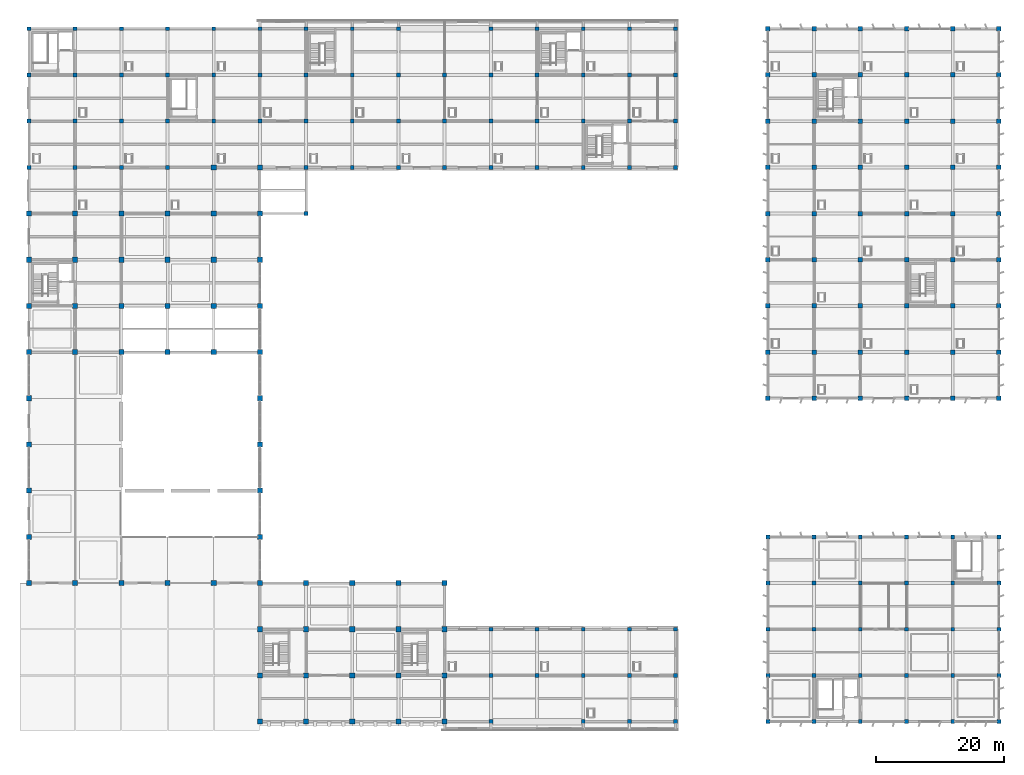
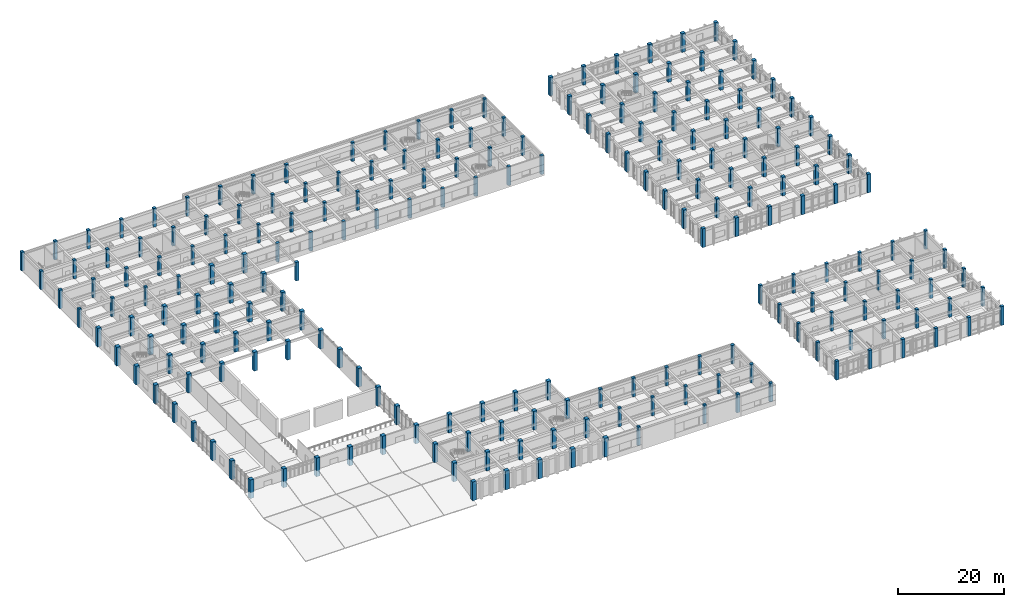
# One storey, part 1 of 70: 215 columns.
"""IFC4 building model written with IfcOpenShell, lengths in metres."""

from ifc_helpers import new_model, si_unit, direction, frame, origin, origin_2d, place, context, subcontext, project, spatial, rectangle, extrude, material, material_profile, profile_set, type_object, element, save


model = new_model("IFC4")

# Units and contexts
model_context = context("Model", 3, precision=1e-05, world=origin(), true_north=direction((0.0, 1.0)))
body_context = subcontext(model_context, "Body", "Model", "MODEL_VIEW")
ifc_project = project(units=[si_unit("LENGTHUNIT", "METRE"), si_unit("AREAUNIT", "SQUARE_METRE"), si_unit("VOLUMEUNIT", "CUBIC_METRE"), si_unit("PLANEANGLEUNIT", "RADIAN"), si_unit("MASSUNIT", "GRAM", prefix="KILO")], contexts=[model_context])

# Site, building, storey
site_placement = place(None, origin())
site = spatial("IfcSite", under=ifc_project, at=site_placement, CompositionType="ELEMENT")
building_placement = place(site_placement, origin())
building = spatial("IfcBuilding", under=site, at=building_placement, Name="Kavelor Marine Aquarium", CompositionType="ELEMENT")
storey_placement = place(building_placement, frame((0.0, 0.0, 9.179931640625)))
storey = spatial("IfcBuildingStorey", under=building, at=storey_placement, Name="L02", CompositionType="ELEMENT", Elevation=9.179931640625)

# Columns
ifc_material_1 = material(Name="Concrete C40/50", Category="concrete")
ifc_material_profile_1 = material_profile(ifc_material_1, rectangle(XDim=0.800048828125, YDim=0.800048828125, at=origin_2d()), Name="RC-COL 800x800")
ifc_profile_set_1 = profile_set([ifc_material_profile_1], Name="Concrete C40/50")
column_type_1 = type_object("IfcColumnType", Name="COL-C3", PredefinedType="COLUMN", material=ifc_profile_set_1)
for number, where, z_axis, x_axis, name in (
    (1, (3.199951171875, 24.39990234375, 0.0), (0.0, 0.0, 1.0), (1.0, 0.0, 0.0), "col:L02:00_03"),
    (2, (3.199951171875, 31.60009765625, 0.0), (0.0, 0.0, 1.0), (1.0, 0.0, 0.0), "col:L02:00_04"),
    (3, (3.199951171875, 38.800048828125, 0.0), (0.0, 0.0, 1.0), (1.0, 0.0, 0.0), "col:L02:00_05"),
    (4, (3.199951171875, 46.0, 0.0), (0.0, 0.0, 1.0), (1.0, 0.0, 0.0), "col:L02:00_06"),
    (5, (3.199951171875, 53.199951171875, 0.0), (0.0, 0.0, 1.0), (1.0, 0.0, 0.0), "col:L02:00_07"),
    (6, (3.199951171875, 60.39990234375, 0.0), (0.0, 0.0, 1.0), (1.0, 0.0, 0.0), "col:L02:00_08"),
    (7, (3.199951171875, 67.60009765625, 0.0), (0.0, 0.0, 1.0), (1.0, 0.0, 0.0), "col:L02:00_09"),
    (8, (3.199951171875, 74.800048828125, 0.0), (0.0, 0.0, 1.0), (1.0, 0.0, 0.0), "col:L02:00_10"),
    (9, (3.199951171875, 82.0, 0.0), (0.0, 0.0, 1.0), (1.0, 0.0, 0.0), "col:L02:00_11"),
    (10, (10.39990234375, 24.39990234375, 0.0), (0.0, 0.0, 1.0), (1.0, 0.0, 0.0), "col:L02:01_03"),
    (11, (10.39990234375, 60.39990234375, 0.0), (0.0, 0.0, 1.0), (1.0, 0.0, 0.0), "col:L02:01_08"),
    (12, (10.39990234375, 67.60009765625, 0.0), (0.0, 0.0, 1.0), (1.0, 0.0, 0.0), "col:L02:01_09"),
    (13, (10.39990234375, 74.800048828125, 0.0), (0.0, 0.0, 1.0), (1.0, 0.0, 0.0), "col:L02:01_10"),
    (14, (10.39990234375, 82.0, 0.0), (0.0, 0.0, 1.0), (1.0, 0.0, 0.0), "col:L02:01_11"),
    (15, (17.60009765625, 24.39990234375, 0.0), (0.0, 0.0, 1.0), (1.0, 0.0, 0.0), "col:L02:02_03"),
    (16, (17.60009765625, 60.39990234375, 0.0), (0.0, 0.0, 1.0), (1.0, 0.0, 0.0), "col:L02:02_08"),
    (17, (17.60009765625, 67.60009765625, 0.0), (0.0, 0.0, 1.0), (1.0, 0.0, 0.0), "col:L02:02_09"),
    (18, (17.60009765625, 74.800048828125, 0.0), (0.0, 0.0, 1.0), (1.0, 0.0, 0.0), "col:L02:02_10"),
    (19, (17.60009765625, 82.0, 0.0), (0.0, 0.0, 1.0), (1.0, 0.0, 0.0), "col:L02:02_11"),
    (20, (24.800048828125, 24.39990234375, 0.0), (0.0, 0.0, 1.0), (1.0, 0.0, 0.0), "col:L02:03_03"),
    (21, (24.800048828125, 60.39990234375, 0.0), (0.0, 0.0, 1.0), (1.0, 0.0, 0.0), "col:L02:03_08"),
    (22, (24.800048828125, 67.60009765625, 0.0), (0.0, 0.0, 1.0), (1.0, 0.0, 0.0), "col:L02:03_09"),
    (23, (24.800048828125, 74.800048828125, 0.0), (0.0, 0.0, 1.0), (1.0, 0.0, 0.0), "col:L02:03_10"),
    (24, (24.800048828125, 82.0, 0.0), (0.0, 0.0, 1.0), (1.0, 0.0, 0.0), "col:L02:03_11"),
    (25, (32.0, 24.39990234375, 0.0), (0.0, 0.0, 1.0), (1.0, 0.0, 0.0), "col:L02:04_03"),
    (26, (32.0, 60.39990234375, 0.0), (0.0, 0.0, 1.0), (1.0, 0.0, 0.0), "col:L02:04_08"),
    (27, (32.0, 67.60009765625, 0.0), (0.0, 0.0, 1.0), (1.0, 0.0, 0.0), "col:L02:04_09"),
    (28, (32.0, 74.800048828125, 0.0), (0.0, 0.0, 1.0), (1.0, 0.0, 0.0), "col:L02:04_10"),
    (29, (32.0, 82.0, 0.0), (0.0, 0.0, 1.0), (1.0, 0.0, 0.0), "col:L02:04_11"),
    (30, (32.0, 89.199951171875, 0.0), (0.0, 0.0, 1.0), (1.0, 0.0, 0.0), "col:L02:04_12"),
    (31, (39.199951171875, 2.800048828125, 0.0), (0.0, 0.0, 1.0), (1.0, 0.0, 0.0), "col:L02:05_00"),
    (32, (39.199951171875, 10.0, 0.0), (0.0, 0.0, 1.0), (1.0, 0.0, 0.0), "col:L02:05_01"),
    (33, (39.199951171875, 17.199951171875, 0.0), (0.0, 0.0, 1.0), (1.0, 0.0, 0.0), "col:L02:05_02"),
    (34, (39.199951171875, 24.39990234375, 0.0), (0.0, 0.0, 1.0), (1.0, 0.0, 0.0), "col:L02:05_03"),
    (35, (39.199951171875, 31.60009765625, 0.0), (0.0, 0.0, 1.0), (1.0, 0.0, 0.0), "col:L02:05_04"),
    (36, (39.199951171875, 38.800048828125, 0.0), (0.0, 0.0, 1.0), (1.0, 0.0, 0.0), "col:L02:05_05"),
    (37, (39.199951171875, 46.0, 0.0), (0.0, 0.0, 1.0), (1.0, 0.0, 0.0), "col:L02:05_06"),
    (38, (39.199951171875, 53.199951171875, 0.0), (0.0, 0.0, 1.0), (1.0, 0.0, 0.0), "col:L02:05_07"),
    (39, (39.199951171875, 60.39990234375, 0.0), (0.0, 0.0, 1.0), (1.0, 0.0, 0.0), "col:L02:05_08"),
    (40, (39.199951171875, 67.60009765625, 0.0), (0.0, 0.0, 1.0), (1.0, 0.0, 0.0), "col:L02:05_09"),
    (41, (39.199951171875, 74.800048828125, 0.0), (0.0, 0.0, 1.0), (1.0, 0.0, 0.0), "col:L02:05_10"),
    (42, (39.199951171875, 82.0, 0.0), (0.0, 0.0, 1.0), (1.0, 0.0, 0.0), "col:L02:05_11"),
    (43, (39.199951171875, 89.199951171875, 0.0), (0.0, 0.0, 1.0), (1.0, 0.0, 0.0), "col:L02:05_12"),
    (44, (46.39990234375, 2.800048828125, 0.0), (0.0, 0.0, 1.0), (1.0, 0.0, 0.0), "col:L02:06_00"),
    (45, (46.39990234375, 10.0, 0.0), (0.0, 0.0, 1.0), (1.0, 0.0, 0.0), "col:L02:06_01"),
    (46, (46.39990234375, 17.199951171875, 0.0), (0.0, 0.0, 1.0), (1.0, 0.0, 0.0), "col:L02:06_02"),
    (47, (46.39990234375, 24.39990234375, 0.0), (0.0, 0.0, 1.0), (1.0, 0.0, 0.0), "col:L02:06_03"),
    (48, (53.60009765625, 2.800048828125, 0.0), (0.0, 0.0, 1.0), (1.0, 0.0, 0.0), "col:L02:07_00"),
    (49, (53.60009765625, 10.0, 0.0), (0.0, 0.0, 1.0), (1.0, 0.0, 0.0), "col:L02:07_01"),
    (50, (53.60009765625, 17.199951171875, 0.0), (0.0, 0.0, 1.0), (1.0, 0.0, 0.0), "col:L02:07_02"),
    (51, (53.60009765625, 24.39990234375, 0.0), (0.0, 0.0, 1.0), (1.0, 0.0, 0.0), "col:L02:07_03"),
    (52, (60.800048828125, 2.800048828125, 0.0), (0.0, 0.0, 1.0), (1.0, 0.0, 0.0), "col:L02:08_00"),
    (53, (60.800048828125, 10.0, 0.0), (0.0, 0.0, 1.0), (1.0, 0.0, 0.0), "col:L02:08_01"),
    (54, (60.800048828125, 17.199951171875, 0.0), (0.0, 0.0, 1.0), (1.0, 0.0, 0.0), "col:L02:08_02"),
    (55, (60.800048828125, 24.39990234375, 0.0), (0.0, 0.0, 1.0), (1.0, 0.0, 0.0), "col:L02:08_03"),
    (56, (68.0, 2.800048828125, 0.0), (0.0, 0.0, 1.0), (1.0, 0.0, 0.0), "col:L02:09_00"),
    (57, (68.0, 10.0, 0.0), (0.0, 0.0, 1.0), (1.0, 0.0, 0.0), "col:L02:09_01"),
    (58, (68.0, 17.199951171875, 0.0), (0.0, 0.0, 1.0), (1.0, 0.0, 0.0), "col:L02:09_02"),
    (59, (68.0, 24.39990234375, 0.0), (0.0, 0.0, 1.0), (1.0, 0.0, 0.0), "col:L02:09_03"),
):
    element("IfcColumn", number, at=place(storey_placement, frame(where, z_axis=z_axis, x_axis=x_axis)), inside=storey, type_object=column_type_1, Name=name, PredefinedType="COLUMN", context=body_context, shape_type="SweptSolid", body=[
        extrude(rectangle(XDim=0.800048828125, YDim=0.800048828125, at=origin_2d()), origin(), (0.0, 0.0, 1.0), 4.320068359375),
    ])
ifc_material_2 = material(Name="Concrete C40/50", Category="concrete")
ifc_material_profile_2 = material_profile(ifc_material_2, rectangle(XDim=0.699951171875, YDim=0.699951171875, at=origin_2d()), Name="RC-COL 700x700")
ifc_profile_set_2 = profile_set([ifc_material_profile_2], Name="Concrete C40/50")
column_type_2 = type_object("IfcColumnType", Name="COL-C4", PredefinedType="COLUMN", material=ifc_profile_set_2)
for number, where, z_axis, x_axis, name in (
    (60, (118.39990234375, 53.199951171875, 0.0), (0.0, 0.0, 1.0), (1.0, 0.0, 0.0), "col:L02:16_07"),
    (61, (118.39990234375, 60.39990234375, 0.0), (0.0, 0.0, 1.0), (1.0, 0.0, 0.0), "col:L02:16_08"),
    (62, (118.39990234375, 67.60009765625, 0.0), (0.0, 0.0, 1.0), (1.0, 0.0, 0.0), "col:L02:16_09"),
    (63, (118.39990234375, 74.800048828125, 0.0), (0.0, 0.0, 1.0), (1.0, 0.0, 0.0), "col:L02:16_10"),
    (64, (118.39990234375, 82.0, 0.0), (0.0, 0.0, 1.0), (1.0, 0.0, 0.0), "col:L02:16_11"),
    (65, (118.39990234375, 89.199951171875, 0.0), (0.0, 0.0, 1.0), (1.0, 0.0, 0.0), "col:L02:16_12"),
    (66, (118.39990234375, 96.39990234375, 0.0), (0.0, 0.0, 1.0), (1.0, 0.0, 0.0), "col:L02:16_13"),
    (67, (118.39990234375, 103.60009765625, 0.0), (0.0, 0.0, 1.0), (1.0, 0.0, 0.0), "col:L02:16_14"),
    (68, (118.39990234375, 110.800048828125, 0.0), (0.0, 0.0, 1.0), (1.0, 0.0, 0.0), "col:L02:16_15"),
    (69, (125.60009765625, 53.199951171875, 0.0), (0.0, 0.0, 1.0), (1.0, 0.0, 0.0), "col:L02:17_07"),
    (70, (125.60009765625, 60.39990234375, 0.0), (0.0, 0.0, 1.0), (1.0, 0.0, 0.0), "col:L02:17_08"),
    (71, (125.60009765625, 67.60009765625, 0.0), (0.0, 0.0, 1.0), (1.0, 0.0, 0.0), "col:L02:17_09"),
    (72, (125.60009765625, 74.800048828125, 0.0), (0.0, 0.0, 1.0), (1.0, 0.0, 0.0), "col:L02:17_10"),
    (73, (125.60009765625, 82.0, 0.0), (0.0, 0.0, 1.0), (1.0, 0.0, 0.0), "col:L02:17_11"),
    (74, (125.60009765625, 89.199951171875, 0.0), (0.0, 0.0, 1.0), (1.0, 0.0, 0.0), "col:L02:17_12"),
    (75, (125.60009765625, 96.39990234375, 0.0), (0.0, 0.0, 1.0), (1.0, 0.0, 0.0), "col:L02:17_13"),
    (76, (125.60009765625, 103.60009765625, 0.0), (0.0, 0.0, 1.0), (1.0, 0.0, 0.0), "col:L02:17_14"),
    (77, (125.60009765625, 110.800048828125, 0.0), (0.0, 0.0, 1.0), (1.0, 0.0, 0.0), "col:L02:17_15"),
    (78, (132.800048828125, 53.199951171875, 0.0), (0.0, 0.0, 1.0), (1.0, 0.0, 0.0), "col:L02:18_07"),
    (79, (132.800048828125, 60.39990234375, 0.0), (0.0, 0.0, 1.0), (1.0, 0.0, 0.0), "col:L02:18_08"),
    (80, (132.800048828125, 67.60009765625, 0.0), (0.0, 0.0, 1.0), (1.0, 0.0, 0.0), "col:L02:18_09"),
    (81, (132.800048828125, 74.800048828125, 0.0), (0.0, 0.0, 1.0), (1.0, 0.0, 0.0), "col:L02:18_10"),
    (82, (132.800048828125, 82.0, 0.0), (0.0, 0.0, 1.0), (1.0, 0.0, 0.0), "col:L02:18_11"),
    (83, (132.800048828125, 89.199951171875, 0.0), (0.0, 0.0, 1.0), (1.0, 0.0, 0.0), "col:L02:18_12"),
    (84, (132.800048828125, 96.39990234375, 0.0), (0.0, 0.0, 1.0), (1.0, 0.0, 0.0), "col:L02:18_13"),
    (85, (132.800048828125, 103.60009765625, 0.0), (0.0, 0.0, 1.0), (1.0, 0.0, 0.0), "col:L02:18_14"),
    (86, (132.800048828125, 110.800048828125, 0.0), (0.0, 0.0, 1.0), (1.0, 0.0, 0.0), "col:L02:18_15"),
    (87, (140.0, 53.199951171875, 0.0), (0.0, 0.0, 1.0), (1.0, 0.0, 0.0), "col:L02:19_07"),
    (88, (140.0, 60.39990234375, 0.0), (0.0, 0.0, 1.0), (1.0, 0.0, 0.0), "col:L02:19_08"),
    (89, (140.0, 67.60009765625, 0.0), (0.0, 0.0, 1.0), (1.0, 0.0, 0.0), "col:L02:19_09"),
    (90, (140.0, 74.800048828125, 0.0), (0.0, 0.0, 1.0), (1.0, 0.0, 0.0), "col:L02:19_10"),
    (91, (140.0, 82.0, 0.0), (0.0, 0.0, 1.0), (1.0, 0.0, 0.0), "col:L02:19_11"),
    (92, (140.0, 89.199951171875, 0.0), (0.0, 0.0, 1.0), (1.0, 0.0, 0.0), "col:L02:19_12"),
    (93, (140.0, 96.39990234375, 0.0), (0.0, 0.0, 1.0), (1.0, 0.0, 0.0), "col:L02:19_13"),
    (94, (140.0, 103.60009765625, 0.0), (0.0, 0.0, 1.0), (1.0, 0.0, 0.0), "col:L02:19_14"),
    (95, (140.0, 110.800048828125, 0.0), (0.0, 0.0, 1.0), (1.0, 0.0, 0.0), "col:L02:19_15"),
    (96, (147.199951171875, 53.199951171875, 0.0), (0.0, 0.0, 1.0), (1.0, 0.0, 0.0), "col:L02:20_07"),
    (97, (147.199951171875, 60.39990234375, 0.0), (0.0, 0.0, 1.0), (1.0, 0.0, 0.0), "col:L02:20_08"),
    (98, (147.199951171875, 67.60009765625, 0.0), (0.0, 0.0, 1.0), (1.0, 0.0, 0.0), "col:L02:20_09"),
    (99, (147.199951171875, 74.800048828125, 0.0), (0.0, 0.0, 1.0), (1.0, 0.0, 0.0), "col:L02:20_10"),
    (100, (147.199951171875, 82.0, 0.0), (0.0, 0.0, 1.0), (1.0, 0.0, 0.0), "col:L02:20_11"),
    (101, (147.199951171875, 89.199951171875, 0.0), (0.0, 0.0, 1.0), (1.0, 0.0, 0.0), "col:L02:20_12"),
    (102, (147.199951171875, 96.39990234375, 0.0), (0.0, 0.0, 1.0), (1.0, 0.0, 0.0), "col:L02:20_13"),
    (103, (147.199951171875, 103.60009765625, 0.0), (0.0, 0.0, 1.0), (1.0, 0.0, 0.0), "col:L02:20_14"),
    (104, (147.199951171875, 110.800048828125, 0.0), (0.0, 0.0, 1.0), (1.0, 0.0, 0.0), "col:L02:20_15"),
    (105, (154.39990234375, 53.199951171875, 0.0), (0.0, 0.0, 1.0), (1.0, 0.0, 0.0), "col:L02:21_07"),
    (106, (154.39990234375, 60.39990234375, 0.0), (0.0, 0.0, 1.0), (1.0, 0.0, 0.0), "col:L02:21_08"),
    (107, (154.39990234375, 67.60009765625, 0.0), (0.0, 0.0, 1.0), (1.0, 0.0, 0.0), "col:L02:21_09"),
    (108, (154.39990234375, 74.800048828125, 0.0), (0.0, 0.0, 1.0), (1.0, 0.0, 0.0), "col:L02:21_10"),
    (109, (154.39990234375, 82.0, 0.0), (0.0, 0.0, 1.0), (1.0, 0.0, 0.0), "col:L02:21_11"),
    (110, (154.39990234375, 89.199951171875, 0.0), (0.0, 0.0, 1.0), (1.0, 0.0, 0.0), "col:L02:21_12"),
    (111, (154.39990234375, 96.39990234375, 0.0), (0.0, 0.0, 1.0), (1.0, 0.0, 0.0), "col:L02:21_13"),
    (112, (154.39990234375, 103.60009765625, 0.0), (0.0, 0.0, 1.0), (1.0, 0.0, 0.0), "col:L02:21_14"),
    (113, (154.39990234375, 110.800048828125, 0.0), (0.0, 0.0, 1.0), (1.0, 0.0, 0.0), "col:L02:21_15"),
):
    element("IfcColumn", number, at=place(storey_placement, frame(where, z_axis=z_axis, x_axis=x_axis)), inside=storey, type_object=column_type_2, Name=name, PredefinedType="COLUMN", context=body_context, shape_type="SweptSolid", body=[
        extrude(rectangle(XDim=0.699951171875, YDim=0.699951171875, at=origin_2d()), origin(), (0.0, 0.0, 1.0), 4.320068359375),
    ])
ifc_material_3 = material(Name="Concrete C40/50", Category="concrete")
ifc_material_profile_3 = material_profile(ifc_material_3, rectangle(XDim=0.60009765625, YDim=0.60009765625, at=origin_2d()), Name="RC-COL 600x600")
ifc_profile_set_3 = profile_set([ifc_material_profile_3], Name="Concrete C40/50")
column_type_3 = type_object("IfcColumnType", Name="COL-C5", PredefinedType="COLUMN", material=ifc_profile_set_3)
for number, where, z_axis, x_axis, name in (
    (114, (3.199951171875, 89.199951171875, 0.0), (0.0, 0.0, 1.0), (1.0, 0.0, 0.0), "col:L02:00_12"),
    (115, (3.199951171875, 96.39990234375, 0.0), (0.0, 0.0, 1.0), (1.0, 0.0, 0.0), "col:L02:00_13"),
    (116, (3.199951171875, 103.60009765625, 0.0), (0.0, 0.0, 1.0), (1.0, 0.0, 0.0), "col:L02:00_14"),
    (117, (3.199951171875, 110.800048828125, 0.0), (0.0, 0.0, 1.0), (1.0, 0.0, 0.0), "col:L02:00_15"),
    (118, (10.39990234375, 89.199951171875, 0.0), (0.0, 0.0, 1.0), (1.0, 0.0, 0.0), "col:L02:01_12"),
    (119, (10.39990234375, 96.39990234375, 0.0), (0.0, 0.0, 1.0), (1.0, 0.0, 0.0), "col:L02:01_13"),
    (120, (10.39990234375, 103.60009765625, 0.0), (0.0, 0.0, 1.0), (1.0, 0.0, 0.0), "col:L02:01_14"),
    (121, (10.39990234375, 110.800048828125, 0.0), (0.0, 0.0, 1.0), (1.0, 0.0, 0.0), "col:L02:01_15"),
    (122, (17.60009765625, 89.199951171875, 0.0), (0.0, 0.0, 1.0), (1.0, 0.0, 0.0), "col:L02:02_12"),
    (123, (17.60009765625, 96.39990234375, 0.0), (0.0, 0.0, 1.0), (1.0, 0.0, 0.0), "col:L02:02_13"),
    (124, (17.60009765625, 103.60009765625, 0.0), (0.0, 0.0, 1.0), (1.0, 0.0, 0.0), "col:L02:02_14"),
    (125, (17.60009765625, 110.800048828125, 0.0), (0.0, 0.0, 1.0), (1.0, 0.0, 0.0), "col:L02:02_15"),
    (126, (24.800048828125, 89.199951171875, 0.0), (0.0, 0.0, 1.0), (1.0, 0.0, 0.0), "col:L02:03_12"),
    (127, (24.800048828125, 96.39990234375, 0.0), (0.0, 0.0, 1.0), (1.0, 0.0, 0.0), "col:L02:03_13"),
    (128, (24.800048828125, 103.60009765625, 0.0), (0.0, 0.0, 1.0), (1.0, 0.0, 0.0), "col:L02:03_14"),
    (129, (24.800048828125, 110.800048828125, 0.0), (0.0, 0.0, 1.0), (1.0, 0.0, 0.0), "col:L02:03_15"),
    (130, (32.0, 96.39990234375, 0.0), (0.0, 0.0, 1.0), (1.0, 0.0, 0.0), "col:L02:04_13"),
    (131, (32.0, 103.60009765625, 0.0), (0.0, 0.0, 1.0), (1.0, 0.0, 0.0), "col:L02:04_14"),
    (132, (32.0, 110.800048828125, 0.0), (0.0, 0.0, 1.0), (1.0, 0.0, 0.0), "col:L02:04_15"),
    (133, (39.199951171875, 96.39990234375, 0.0), (0.0, 0.0, 1.0), (1.0, 0.0, 0.0), "col:L02:05_13"),
    (134, (39.199951171875, 103.60009765625, 0.0), (0.0, 0.0, 1.0), (1.0, 0.0, 0.0), "col:L02:05_14"),
    (135, (39.199951171875, 110.800048828125, 0.0), (0.0, 0.0, 1.0), (1.0, 0.0, 0.0), "col:L02:05_15"),
    (136, (46.39990234375, 82.0, 0.0), (0.0, 0.0, 1.0), (1.0, 0.0, 0.0), "col:L02:06_11"),
    (137, (46.39990234375, 89.199951171875, 0.0), (0.0, 0.0, 1.0), (1.0, 0.0, 0.0), "col:L02:06_12"),
    (138, (46.39990234375, 96.39990234375, 0.0), (0.0, 0.0, 1.0), (1.0, 0.0, 0.0), "col:L02:06_13"),
    (139, (46.39990234375, 103.60009765625, 0.0), (0.0, 0.0, 1.0), (1.0, 0.0, 0.0), "col:L02:06_14"),
    (140, (46.39990234375, 110.800048828125, 0.0), (0.0, 0.0, 1.0), (1.0, 0.0, 0.0), "col:L02:06_15"),
    (141, (53.60009765625, 89.199951171875, 0.0), (0.0, 0.0, 1.0), (1.0, 0.0, 0.0), "col:L02:07_12"),
    (142, (53.60009765625, 96.39990234375, 0.0), (0.0, 0.0, 1.0), (1.0, 0.0, 0.0), "col:L02:07_13"),
    (143, (53.60009765625, 103.60009765625, 0.0), (0.0, 0.0, 1.0), (1.0, 0.0, 0.0), "col:L02:07_14"),
    (144, (53.60009765625, 110.800048828125, 0.0), (0.0, 0.0, 1.0), (1.0, 0.0, 0.0), "col:L02:07_15"),
    (145, (60.800048828125, 89.199951171875, 0.0), (0.0, 0.0, 1.0), (1.0, 0.0, 0.0), "col:L02:08_12"),
    (146, (60.800048828125, 96.39990234375, 0.0), (0.0, 0.0, 1.0), (1.0, 0.0, 0.0), "col:L02:08_13"),
    (147, (60.800048828125, 103.60009765625, 0.0), (0.0, 0.0, 1.0), (1.0, 0.0, 0.0), "col:L02:08_14"),
    (148, (60.800048828125, 110.800048828125, 0.0), (0.0, 0.0, 1.0), (1.0, 0.0, 0.0), "col:L02:08_15"),
    (149, (68.0, 89.199951171875, 0.0), (0.0, 0.0, 1.0), (1.0, 0.0, 0.0), "col:L02:09_12"),
    (150, (68.0, 96.39990234375, 0.0), (0.0, 0.0, 1.0), (1.0, 0.0, 0.0), "col:L02:09_13"),
    (151, (68.0, 103.60009765625, 0.0), (0.0, 0.0, 1.0), (1.0, 0.0, 0.0), "col:L02:09_14"),
    (152, (75.199951171875, 2.800048828125, 0.0), (0.0, 0.0, 1.0), (1.0, 0.0, 0.0), "col:L02:10_00"),
    (153, (75.199951171875, 10.0, 0.0), (0.0, 0.0, 1.0), (1.0, 0.0, 0.0), "col:L02:10_01"),
    (154, (75.199951171875, 17.199951171875, 0.0), (0.0, 0.0, 1.0), (1.0, 0.0, 0.0), "col:L02:10_02"),
    (155, (75.199951171875, 89.199951171875, 0.0), (0.0, 0.0, 1.0), (1.0, 0.0, 0.0), "col:L02:10_12"),
    (156, (75.199951171875, 96.39990234375, 0.0), (0.0, 0.0, 1.0), (1.0, 0.0, 0.0), "col:L02:10_13"),
    (157, (75.199951171875, 103.60009765625, 0.0), (0.0, 0.0, 1.0), (1.0, 0.0, 0.0), "col:L02:10_14"),
    (158, (75.199951171875, 110.800048828125, 0.0), (0.0, 0.0, 1.0), (1.0, 0.0, 0.0), "col:L02:10_15"),
    (159, (82.39990234375, 10.0, 0.0), (0.0, 0.0, 1.0), (1.0, 0.0, 0.0), "col:L02:11_01"),
    (160, (82.39990234375, 17.199951171875, 0.0), (0.0, 0.0, 1.0), (1.0, 0.0, 0.0), "col:L02:11_02"),
    (161, (82.39990234375, 89.199951171875, 0.0), (0.0, 0.0, 1.0), (1.0, 0.0, 0.0), "col:L02:11_12"),
    (162, (82.39990234375, 96.39990234375, 0.0), (0.0, 0.0, 1.0), (1.0, 0.0, 0.0), "col:L02:11_13"),
    (163, (82.39990234375, 103.60009765625, 0.0), (0.0, 0.0, 1.0), (1.0, 0.0, 0.0), "col:L02:11_14"),
    (164, (82.39990234375, 110.800048828125, 0.0), (0.0, 0.0, 1.0), (1.0, 0.0, 0.0), "col:L02:11_15"),
    (165, (89.60009765625, 2.800048828125, 0.0), (0.0, 0.0, 1.0), (1.0, 0.0, 0.0), "col:L02:12_00"),
    (166, (89.60009765625, 10.0, 0.0), (0.0, 0.0, 1.0), (1.0, 0.0, 0.0), "col:L02:12_01"),
    (167, (89.60009765625, 17.199951171875, 0.0), (0.0, 0.0, 1.0), (1.0, 0.0, 0.0), "col:L02:12_02"),
    (168, (89.60009765625, 89.199951171875, 0.0), (0.0, 0.0, 1.0), (1.0, 0.0, 0.0), "col:L02:12_12"),
    (169, (89.60009765625, 96.39990234375, 0.0), (0.0, 0.0, 1.0), (1.0, 0.0, 0.0), "col:L02:12_13"),
    (170, (89.60009765625, 103.60009765625, 0.0), (0.0, 0.0, 1.0), (1.0, 0.0, 0.0), "col:L02:12_14"),
    (171, (89.60009765625, 110.800048828125, 0.0), (0.0, 0.0, 1.0), (1.0, 0.0, 0.0), "col:L02:12_15"),
    (172, (96.800048828125, 2.800048828125, 0.0), (0.0, 0.0, 1.0), (1.0, 0.0, 0.0), "col:L02:13_00"),
    (173, (96.800048828125, 10.0, 0.0), (0.0, 0.0, 1.0), (1.0, 0.0, 0.0), "col:L02:13_01"),
    (174, (96.800048828125, 17.199951171875, 0.0), (0.0, 0.0, 1.0), (1.0, 0.0, 0.0), "col:L02:13_02"),
    (175, (96.800048828125, 89.199951171875, 0.0), (0.0, 0.0, 1.0), (1.0, 0.0, 0.0), "col:L02:13_12"),
    (176, (96.800048828125, 96.39990234375, 0.0), (0.0, 0.0, 1.0), (1.0, 0.0, 0.0), "col:L02:13_13"),
    (177, (96.800048828125, 103.60009765625, 0.0), (0.0, 0.0, 1.0), (1.0, 0.0, 0.0), "col:L02:13_14"),
    (178, (96.800048828125, 110.800048828125, 0.0), (0.0, 0.0, 1.0), (1.0, 0.0, 0.0), "col:L02:13_15"),
    (179, (104.0, 2.800048828125, 0.0), (0.0, 0.0, 1.0), (1.0, 0.0, 0.0), "col:L02:14_00"),
    (180, (104.0, 10.0, 0.0), (0.0, 0.0, 1.0), (1.0, 0.0, 0.0), "col:L02:14_01"),
    (181, (104.0, 17.199951171875, 0.0), (0.0, 0.0, 1.0), (1.0, 0.0, 0.0), "col:L02:14_02"),
    (182, (104.0, 89.199951171875, 0.0), (0.0, 0.0, 1.0), (1.0, 0.0, 0.0), "col:L02:14_12"),
    (183, (104.0, 96.39990234375, 0.0), (0.0, 0.0, 1.0), (1.0, 0.0, 0.0), "col:L02:14_13"),
    (184, (104.0, 103.60009765625, 0.0), (0.0, 0.0, 1.0), (1.0, 0.0, 0.0), "col:L02:14_14"),
    (185, (104.0, 110.800048828125, 0.0), (0.0, 0.0, 1.0), (1.0, 0.0, 0.0), "col:L02:14_15"),
    (186, (118.39990234375, 2.800048828125, 0.0), (0.0, 0.0, 1.0), (1.0, 0.0, 0.0), "col:L02:16_00"),
    (187, (118.39990234375, 10.0, 0.0), (0.0, 0.0, 1.0), (1.0, 0.0, 0.0), "col:L02:16_01"),
    (188, (118.39990234375, 17.199951171875, 0.0), (0.0, 0.0, 1.0), (1.0, 0.0, 0.0), "col:L02:16_02"),
    (189, (118.39990234375, 24.39990234375, 0.0), (0.0, 0.0, 1.0), (1.0, 0.0, 0.0), "col:L02:16_03"),
    (190, (118.39990234375, 31.60009765625, 0.0), (0.0, 0.0, 1.0), (1.0, 0.0, 0.0), "col:L02:16_04"),
    (191, (125.60009765625, 2.800048828125, 0.0), (0.0, 0.0, 1.0), (1.0, 0.0, 0.0), "col:L02:17_00"),
    (192, (125.60009765625, 10.0, 0.0), (0.0, 0.0, 1.0), (1.0, 0.0, 0.0), "col:L02:17_01"),
    (193, (125.60009765625, 17.199951171875, 0.0), (0.0, 0.0, 1.0), (1.0, 0.0, 0.0), "col:L02:17_02"),
    (194, (125.60009765625, 24.39990234375, 0.0), (0.0, 0.0, 1.0), (1.0, 0.0, 0.0), "col:L02:17_03"),
    (195, (125.60009765625, 31.60009765625, 0.0), (0.0, 0.0, 1.0), (1.0, 0.0, 0.0), "col:L02:17_04"),
    (196, (132.800048828125, 2.800048828125, 0.0), (0.0, 0.0, 1.0), (1.0, 0.0, 0.0), "col:L02:18_00"),
    (197, (132.800048828125, 10.0, 0.0), (0.0, 0.0, 1.0), (1.0, 0.0, 0.0), "col:L02:18_01"),
    (198, (132.800048828125, 17.199951171875, 0.0), (0.0, 0.0, 1.0), (1.0, 0.0, 0.0), "col:L02:18_02"),
    (199, (132.800048828125, 24.39990234375, 0.0), (0.0, 0.0, 1.0), (1.0, 0.0, 0.0), "col:L02:18_03"),
    (200, (132.800048828125, 31.60009765625, 0.0), (0.0, 0.0, 1.0), (1.0, 0.0, 0.0), "col:L02:18_04"),
    (201, (140.0, 2.800048828125, 0.0), (0.0, 0.0, 1.0), (1.0, 0.0, 0.0), "col:L02:19_00"),
    (202, (140.0, 10.0, 0.0), (0.0, 0.0, 1.0), (1.0, 0.0, 0.0), "col:L02:19_01"),
    (203, (140.0, 17.199951171875, 0.0), (0.0, 0.0, 1.0), (1.0, 0.0, 0.0), "col:L02:19_02"),
    (204, (140.0, 24.39990234375, 0.0), (0.0, 0.0, 1.0), (1.0, 0.0, 0.0), "col:L02:19_03"),
    (205, (140.0, 31.60009765625, 0.0), (0.0, 0.0, 1.0), (1.0, 0.0, 0.0), "col:L02:19_04"),
    (206, (147.199951171875, 2.800048828125, 0.0), (0.0, 0.0, 1.0), (1.0, 0.0, 0.0), "col:L02:20_00"),
    (207, (147.199951171875, 10.0, 0.0), (0.0, 0.0, 1.0), (1.0, 0.0, 0.0), "col:L02:20_01"),
    (208, (147.199951171875, 17.199951171875, 0.0), (0.0, 0.0, 1.0), (1.0, 0.0, 0.0), "col:L02:20_02"),
    (209, (147.199951171875, 24.39990234375, 0.0), (0.0, 0.0, 1.0), (1.0, 0.0, 0.0), "col:L02:20_03"),
    (210, (147.199951171875, 31.60009765625, 0.0), (0.0, 0.0, 1.0), (1.0, 0.0, 0.0), "col:L02:20_04"),
    (211, (154.39990234375, 2.800048828125, 0.0), (0.0, 0.0, 1.0), (1.0, 0.0, 0.0), "col:L02:21_00"),
    (212, (154.39990234375, 10.0, 0.0), (0.0, 0.0, 1.0), (1.0, 0.0, 0.0), "col:L02:21_01"),
    (213, (154.39990234375, 17.199951171875, 0.0), (0.0, 0.0, 1.0), (1.0, 0.0, 0.0), "col:L02:21_02"),
    (214, (154.39990234375, 24.39990234375, 0.0), (0.0, 0.0, 1.0), (1.0, 0.0, 0.0), "col:L02:21_03"),
    (215, (154.39990234375, 31.60009765625, 0.0), (0.0, 0.0, 1.0), (1.0, 0.0, 0.0), "col:L02:21_04"),
):
    element("IfcColumn", number, at=place(storey_placement, frame(where, z_axis=z_axis, x_axis=x_axis)), inside=storey, type_object=column_type_3, Name=name, PredefinedType="COLUMN", context=body_context, shape_type="SweptSolid", body=[
        extrude(rectangle(XDim=0.60009765625, YDim=0.60009765625, at=origin_2d()), origin(), (0.0, 0.0, 1.0), 4.320068359375),
    ])

save(model, "model.ifc")
